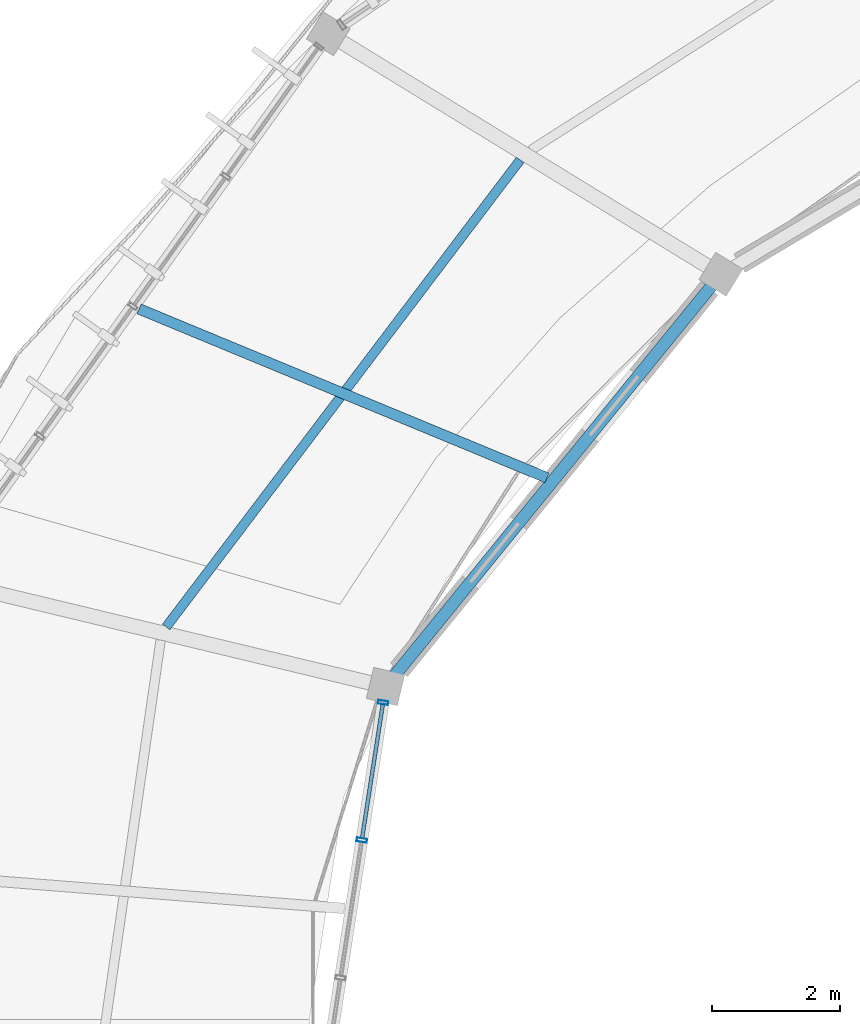
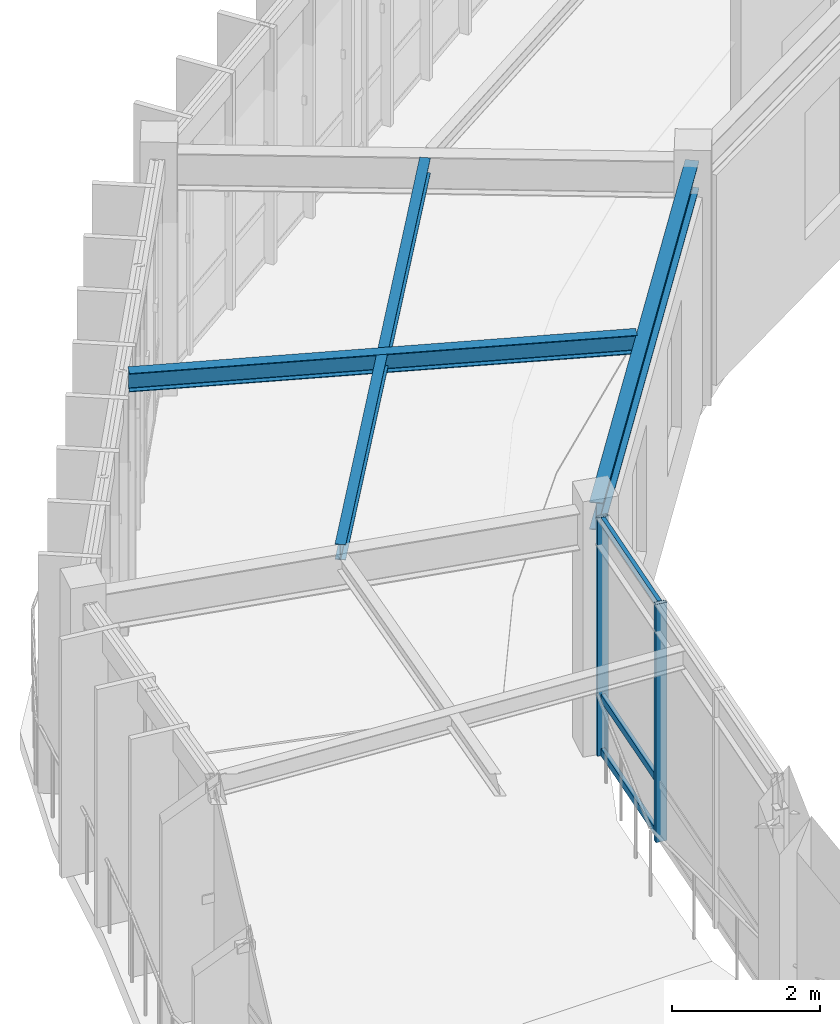
# One storey, part 24 of 78: 5 members, 3 beams, 1 element without a shape of its own.
"""IFC4 building model written with IfcOpenShell, lengths in metres."""

import ifcopenshell
import ifcopenshell.guid

model = None  # the IFC model being written
_history = None  # IfcOwnerHistory: only IFC2X3 demands one
_inside = {}  # id of a spatial element -> (the spatial element, [elements in it])
_under = {}  # id of a project, library or spatial element -> (it, [spatial elements below it])
_declared = {}  # id of a project -> (the project, [libraries it declares])
_typed = {}  # id of a type object -> (the type object, [elements of that type])
_made_of = {}  # id of a material, layer set ... -> (it, [elements and type objects made of it])


def new_model(schema):
    """Start an empty IFC model of exactly this schema.

    Asked for "IFC4X3", IfcOpenShell would pick the latest addendum, in which some entities
    have other attributes; the version numbers below select the first issue.
    IFC2X3 requires an IfcOwnerHistory on every rooted entity: one is made here for all.
    """
    global model, _history
    if schema == "IFC4X3":
        model = ifcopenshell.file(schema_version=(4, 3, 0, 0))
    else:
        model = ifcopenshell.file(schema=schema)
    _inside.clear()
    _under.clear()
    _declared.clear()
    _typed.clear()
    _made_of.clear()
    _history = None
    if model.schema == "IFC2X3":
        org = make("IfcOrganization", Name="unknown")
        user = make(
            "IfcPersonAndOrganization",
            ThePerson=make("IfcPerson", FamilyName="unknown"),
            TheOrganization=org,
        )
        app = make(
            "IfcApplication",
            ApplicationDeveloper=org,
            Version="unknown",
            ApplicationFullName="unknown",
            ApplicationIdentifier="unknown",
        )
        _history = make(
            "IfcOwnerHistory",
            OwningUser=user,
            OwningApplication=app,
            ChangeAction="ADDED",
            CreationDate=0,
        )
    return model


def make(cls, **values):
    """One entity of the class cls with the attributes given. An attribute that is None is left unset."""
    return model.create_entity(
        cls, **{name: value for name, value in values.items() if value is not None}
    )


def rooted(cls, **values):
    """An entity with a GlobalId (a new one), such as an element, a storey or a relation."""
    return make(cls, GlobalId=ifcopenshell.guid.new(), OwnerHistory=_history, **values)


def si_unit(unit_type, name, prefix=None):
    """IfcSIUnit, for example si_unit("LENGTHUNIT", "METRE", prefix="MILLI")."""
    return make("IfcSIUnit", UnitType=unit_type, Prefix=prefix, Name=name)


def assignment(units):
    """IfcUnitAssignment: the units of a project."""
    return None if units is None else make("IfcUnitAssignment", Units=units)


def point(xyz):
    """IfcCartesianPoint."""
    return None if xyz is None else make("IfcCartesianPoint", Coordinates=xyz)


def direction(xyz):
    """IfcDirection."""
    return None if xyz is None else make("IfcDirection", DirectionRatios=xyz)


def frame(location, z_axis=None, x_axis=None):
    """IfcAxis2Placement3D, a coordinate frame: its origin and axes. An axis left out is left unset."""
    return make(
        "IfcAxis2Placement3D",
        Location=point(location),
        Axis=direction(z_axis),
        RefDirection=direction(x_axis),
    )


def frame_2d(location, x_axis=None):
    """IfcAxis2Placement2D, a coordinate frame in the plane: its origin and x axis."""
    return make(
        "IfcAxis2Placement2D", Location=point(location), RefDirection=direction(x_axis)
    )


def origin():
    """The frame at (0, 0, 0) with its axes left unset."""
    return frame((0.0, 0.0, 0.0))


def origin_2d():
    """The frame at (0, 0) in the plane with its x axis left unset."""
    return frame_2d((0.0, 0.0))


def place(relative_to, where):
    """IfcLocalPlacement: puts the frame where relative to a parent placement (None: the world)."""
    return make(
        "IfcLocalPlacement", PlacementRelTo=relative_to, RelativePlacement=where
    )


def context(
    kind, dimensions, precision=None, world=None, true_north=None, identifier=None
):
    """IfcGeometricRepresentationContext, for example the 3D "Model" context."""
    return make(
        "IfcGeometricRepresentationContext",
        ContextIdentifier=identifier,
        ContextType=kind,
        CoordinateSpaceDimension=dimensions,
        Precision=precision,
        WorldCoordinateSystem=world,
        TrueNorth=true_north,
    )


def subcontext(parent, identifier, kind, view, scale=None):
    """IfcGeometricRepresentationSubContext, for example "Body" below "Model"."""
    return make(
        "IfcGeometricRepresentationSubContext",
        ContextIdentifier=identifier,
        ContextType=kind,
        ParentContext=parent,
        TargetScale=scale,
        TargetView=view,
    )


def project(units=None, contexts=None):
    """IfcProject with its units and contexts."""
    return rooted(
        "IfcProject",
        Name="project",
        RepresentationContexts=contexts,
        UnitsInContext=assignment(units),
    )


def spatial(cls, under=None, at=None, **own):
    """A site, building, storey or space (cls), placed at a placement, below another one or the project."""
    s = rooted(cls, ObjectPlacement=at, **own)
    if under is not None:
        _under.setdefault(under.id(), (under, []))[1].append(s)
    return s


def profile(cls, at=None, kind="AREA", **sizes):
    """A parametric profile (cls). Its sizes go by their IFC names, for example OverallWidth=200.0."""
    return make(cls, ProfileType=kind, Position=at, **sizes)


def hollow_rectangle(**sizes):
    """IfcRectangleHollowProfileDef."""
    return profile("IfcRectangleHollowProfileDef", **sizes)


def i_section(**sizes):
    """IfcIShapeProfileDef."""
    return profile("IfcIShapeProfileDef", **sizes)


def extrude(swept, where, along, depth):
    """IfcExtrudedAreaSolid: the profile swept, set in the frame where, extruded along a direction by depth."""
    return make(
        "IfcExtrudedAreaSolid",
        SweptArea=swept,
        Position=where,
        ExtrudedDirection=direction(along),
        Depth=depth,
    )


def shape(context_of_items, identifier, shape_type, items):
    """IfcShapeRepresentation: the items that make up one representation, for example the "Body"."""
    return make(
        "IfcShapeRepresentation",
        ContextOfItems=context_of_items,
        RepresentationIdentifier=identifier,
        RepresentationType=shape_type,
        Items=items,
    )


def material(Name=None, Category=None):
    """IfcMaterial."""
    return make("IfcMaterial", Name=Name, Category=Category)


def material_profile(
    of_material, cross_section, Name=None, Category=None, Priority=None
):
    """IfcMaterialProfile: a cross section and its material."""
    return make(
        "IfcMaterialProfile",
        Name=Name,
        Material=of_material,
        Profile=cross_section,
        Priority=Priority,
        Category=Category,
    )


def profile_set(profiles, Name=None, composite=None):
    """IfcMaterialProfileSet."""
    return make(
        "IfcMaterialProfileSet",
        Name=Name,
        MaterialProfiles=profiles,
        CompositeProfile=composite,
    )


def made_of(thing, what):
    """Note that an element or type object is made of a material, layer set ...; save() writes the relation."""
    if what is not None:
        _made_of.setdefault(what.id(), (what, []))[1].append(thing)
    return thing


def type_object(cls, material=None, **own):
    """A type object (cls), such as IfcWallType, which elements share."""
    return made_of(rooted(cls, **own), material)


def element(
    cls,
    number,
    at=None,
    inside=None,
    cuts=None,
    type_object=None,
    material=None,
    context=None,
    identifier="Body",
    shape_type=None,
    held_by="IfcProductDefinitionShape",
    body=None,
    shapes=None,
    **own,
):
    """One element of the class cls, such as IfcWall. Its Tag is "e" and its number.

    at: its placement. inside: the storey or other place that contains it. cuts: it is an
    opening in that element (IfcRelVoidsElement). A single representation is given by context,
    identifier, shape_type and body (its items); several are given by shapes. held_by: the class
    of the entity that holds the representations. save() writes the other relations.
    """
    e = rooted(cls, Tag="e%d" % number, ObjectPlacement=at, **own)
    if body is not None:
        shapes = [shape(context, identifier, shape_type, body)]
    if shapes is not None:
        e.Representation = make(held_by, Representations=shapes)
    if inside is not None:
        _inside.setdefault(inside.id(), (inside, []))[1].append(e)
    if cuts is not None:
        rooted(
            "IfcRelVoidsElement", RelatingBuildingElement=cuts, RelatedOpeningElement=e
        )
    if type_object is not None:
        _typed.setdefault(type_object.id(), (type_object, []))[1].append(e)
    return made_of(e, material)


def aggregate(whole, parts):
    """IfcRelAggregates: a whole, such as a stair, and the parts it consists of."""
    return rooted("IfcRelAggregates", RelatingObject=whole, RelatedObjects=parts)


def save(model, path):
    """Write the relations noted so far, then the file.

    IfcRelAggregates (storeys below a building ...), IfcRelContainedInSpatialStructure (elements
    in a storey), IfcRelDefinesByType, IfcRelAssociatesMaterial and IfcRelDeclares: one each for
    every whole, place, type object, material and project.
    """
    for whole, parts in _under.values():
        aggregate(whole, parts)
    for where, things in _inside.values():
        rooted(
            "IfcRelContainedInSpatialStructure",
            RelatedElements=things,
            RelatingStructure=where,
        )
    for kind, things in _typed.values():
        rooted("IfcRelDefinesByType", RelatedObjects=things, RelatingType=kind)
    for what, things in _made_of.values():
        rooted("IfcRelAssociatesMaterial", RelatedObjects=things, RelatingMaterial=what)
    for by, libraries in _declared.values():
        rooted("IfcRelDeclares", RelatingContext=by, RelatedDefinitions=libraries)
    model.write(path)


model = new_model("IFC4")

# Units and contexts
model_context = context("Model", 3, precision=1e-05, world=origin(), true_north=direction((0.0, 1.0)))
body_context = subcontext(model_context, "Body", "Model", "MODEL_VIEW")
ifc_project = project(units=[si_unit("LENGTHUNIT", "METRE"), si_unit("AREAUNIT", "SQUARE_METRE"), si_unit("VOLUMEUNIT", "CUBIC_METRE"), si_unit("PLANEANGLEUNIT", "RADIAN"), si_unit("MASSUNIT", "GRAM", prefix="KILO"), si_unit("THERMODYNAMICTEMPERATUREUNIT", "KELVIN"), si_unit("POWERUNIT", "WATT")], contexts=[model_context])

# Site, building, storey
site_placement = place(None, origin())
site = spatial("IfcSite", under=ifc_project, at=site_placement, CompositionType="ELEMENT")
building_placement = place(site_placement, origin())
building = spatial("IfcBuilding", under=site, at=building_placement, Name="Darbajah Civic Hall", CompositionType="ELEMENT")
storey_placement = place(building_placement, frame((0.0, 0.0, 26.39990234375)))
storey = spatial("IfcBuildingStorey", under=building, at=storey_placement, Name="L06", CompositionType="ELEMENT", Elevation=26.39990234375)

# Curtain wall, members
ifc_material_1 = material(Name="Anodised Bronze Aluminium and Low-E Glazing", Category="aluminium")
curtain_wall_type = type_object("IfcCurtainWallType", Name="Unitised Curtain Wall CW-70 6500x3900", PredefinedType="USERDEFINED", material=ifc_material_1)
curtain_wall_placement = place(storey_placement, origin())
curtain_wall = element("IfcCurtainWall", 1, at=curtain_wall_placement, inside=storey, type_object=curtain_wall_type, Name="L06 unitised curtain wall CW-V1I-L06-09", ObjectType="UNITISED CURTAIN WALL", PredefinedType="USERDEFINED")
ifc_material_2 = material(Name="Anodised Bronze Aluminium", Category="aluminium")
ifc_material_profile_1 = material_profile(ifc_material_2, hollow_rectangle(XDim=0.06005859375, YDim=0.159912109375, WallThickness=0.00341796875, at=origin_2d()), Name="ALU MULLION 60x160")
ifc_profile_set_1 = profile_set([ifc_material_profile_1], Name="Anodised Bronze Aluminium")
member_type_1 = type_object("IfcMemberType", Name="ALU MULLION 60x160", PredefinedType="MULLION", material=ifc_profile_set_1)
member_1_placement = place(storey_placement, frame((46.4716796875, 94.7568359375, 0.0), z_axis=(0.0, 0.0, 1.0), x_axis=(-0.152813355565, -0.98825506746, 0.0)))
member_1 = element("IfcMember", 2, at=member_1_placement, type_object=member_type_1, Name="CW-V1I-L06-09 mullion 1", PredefinedType="MULLION", context=body_context, shape_type="SweptSolid", body=[
    extrude(hollow_rectangle(XDim=0.06005859375, YDim=0.159912109375, WallThickness=0.00341796875, at=origin_2d()), origin(), (0.0, 0.0, 1.0), 3.920166015625),
])
member_2_placement = place(storey_placement, frame((46.138916015625, 92.604248046875, 0.0), z_axis=(0.0, 0.0, 1.0), x_axis=(-0.152813355565, -0.98825506746, 0.0)))
member_2 = element("IfcMember", 3, at=member_2_placement, type_object=member_type_1, Name="CW-V1I-L06-09 mullion 2", PredefinedType="MULLION", context=body_context, shape_type="SweptSolid", body=[
    extrude(hollow_rectangle(XDim=0.06005859375, YDim=0.159912109375, WallThickness=0.00341796875, at=origin_2d()), origin(), (0.0, 0.0, 1.0), 3.920166015625),
])
ifc_material_profile_2 = material_profile(ifc_material_2, hollow_rectangle(XDim=0.06005859375, YDim=0.1201171875, WallThickness=0.003173828125, at=origin_2d()), Name="ALU TRANSOM 60x120")
ifc_profile_set_2 = profile_set([ifc_material_profile_2], Name="Anodised Bronze Aluminium")
member_type_2 = type_object("IfcMemberType", Name="ALU TRANSOM 60x120", PredefinedType="USERDEFINED", material=ifc_profile_set_2)
member_3_placement = place(storey_placement, frame((46.46630859375, 94.72216796875, 0.06005859375), z_axis=(-0.152762087041, -0.988262993723, 0.0), x_axis=(0.988262993723, -0.152762087041, 0.0)))
member_3 = element("IfcMember", 4, at=member_3_placement, type_object=member_type_2, Name="CW-V1I-L06-09 transom 1.1", ObjectType="TRANSOM", PredefinedType="USERDEFINED", context=body_context, shape_type="SweptSolid", body=[
    extrude(hollow_rectangle(XDim=0.06005859375, YDim=0.1201171875, WallThickness=0.003173828125, at=origin_2d()), origin(), (0.0, 0.0, 1.0), 2.10791015625),
])
member_4_placement = place(storey_placement, frame((46.46630859375, 94.72216796875, 0.9501953125), z_axis=(-0.152762087041, -0.988262993723, 0.0), x_axis=(0.988262993723, -0.152762087041, 0.0)))
member_4 = element("IfcMember", 5, at=member_4_placement, type_object=member_type_2, Name="CW-V1I-L06-09 transom 1.2", ObjectType="TRANSOM", PredefinedType="USERDEFINED", context=body_context, shape_type="SweptSolid", body=[
    extrude(hollow_rectangle(XDim=0.06005859375, YDim=0.1201171875, WallThickness=0.003173828125, at=origin_2d()), origin(), (0.0, 0.0, 1.0), 2.10791015625),
])
member_5_placement = place(storey_placement, frame((46.46630859375, 94.72216796875, 3.860107421875), z_axis=(-0.152762087041, -0.988262993723, 0.0), x_axis=(0.988262993723, -0.152762087041, 0.0)))
member_5 = element("IfcMember", 6, at=member_5_placement, type_object=member_type_2, Name="CW-V1I-L06-09 transom 1.3", ObjectType="TRANSOM", PredefinedType="USERDEFINED", context=body_context, shape_type="SweptSolid", body=[
    extrude(hollow_rectangle(XDim=0.06005859375, YDim=0.1201171875, WallThickness=0.003173828125, at=origin_2d()), origin(), (0.0, 0.0, 1.0), 2.10791015625),
])
aggregate(curtain_wall, [member_1, member_2, member_3, member_4, member_5])

# Beams
ifc_material_3 = material(Name="Steel S355JR", Category="steel")
ifc_material_profile_3 = material_profile(ifc_material_3, i_section(OverallWidth=0.146484375, OverallDepth=0.256103515625, WebThickness=0.00634765625, FlangeThickness=0.010986328125, FilletRadius=0.007568359375, at=origin_2d()), Name="UB 254x146x37")
ifc_profile_set_3 = profile_set([ifc_material_profile_3], Name="Steel S355JR")
beam_type_1 = type_object("IfcBeamType", Name="UB 254x146x37", PredefinedType="JOIST", material=ifc_profile_set_3)
beam_1_placement = place(storey_placement, frame((48.61474609375, 103.240234375, 3.7919921875), z_axis=(-0.604114678665, -0.796897393032, 0.0), x_axis=(0.796897393032, -0.604114678665, 0.0)))
element("IfcBeam", 7, at=beam_1_placement, inside=storey, type_object=beam_type_1, Name="L06 beam SJ-254", PredefinedType="JOIST", context=body_context, shape_type="SweptSolid", body=[
    extrude(i_section(OverallWidth=0.146484375, OverallDepth=0.256103515625, WebThickness=0.00634765625, FlangeThickness=0.010986328125, FilletRadius=0.007568359375, at=origin_2d()), origin(), (0.0, 0.0, 1.0), 9.162353515625),
])
ifc_material_profile_4 = material_profile(ifc_material_3, i_section(OverallWidth=0.165771484375, OverallDepth=0.306640625, WebThickness=0.006591796875, FlangeThickness=0.01171875, FilletRadius=0.0087890625, at=origin_2d()), Name="UB 305x165x46")
ifc_profile_set_4 = profile_set([ifc_material_profile_4], Name="Steel S355JR")
beam_type_2 = type_object("IfcBeamType", Name="UB 305x165x46", PredefinedType="JOIST", material=ifc_profile_set_4)
beam_2_placement = place(storey_placement, frame((49.034423828125, 98.269287109375, 3.766845703125), z_axis=(-0.923878471007, 0.382685995053, 0.0), x_axis=(-0.382685995053, -0.923878471007, 0.0)))
element("IfcBeam", 8, at=beam_2_placement, inside=storey, type_object=beam_type_2, Name="L06 beam SJ-305", PredefinedType="JOIST", context=body_context, shape_type="SweptSolid", body=[
    extrude(i_section(OverallWidth=0.165771484375, OverallDepth=0.306640625, WebThickness=0.006591796875, FlangeThickness=0.01171875, FilletRadius=0.0087890625, at=origin_2d()), origin(), (0.0, 0.0, 1.0), 6.9033203125),
])
ifc_material_profile_5 = material_profile(ifc_material_3, i_section(OverallWidth=0.1904296875, OverallDepth=0.45703125, WebThickness=0.009033203125, FlangeThickness=0.014404296875, FilletRadius=0.01025390625, at=origin_2d()), Name="UB 457x191x74")
ifc_profile_set_5 = profile_set([ifc_material_profile_5], Name="Steel S355JR")
beam_type_3 = type_object("IfcBeamType", Name="UB 457x191x74", PredefinedType="BEAM", material=ifc_profile_set_5)
beam_3_placement = place(storey_placement, frame((51.703857421875, 101.3896484375, 3.691650390625), z_axis=(-0.63108196788, -0.775716152866, 0.0), x_axis=(0.775716152866, -0.63108196788, 0.0)))
element("IfcBeam", 9, at=beam_3_placement, inside=storey, type_object=beam_type_3, Name="L06 beam SB-457", PredefinedType="BEAM", context=body_context, shape_type="SweptSolid", body=[
    extrude(i_section(OverallWidth=0.1904296875, OverallDepth=0.45703125, WebThickness=0.009033203125, FlangeThickness=0.014404296875, FilletRadius=0.01025390625, at=origin_2d()), origin(), (0.0, 0.0, 1.0), 8.149658203125),
])

save(model, "model.ifc")
